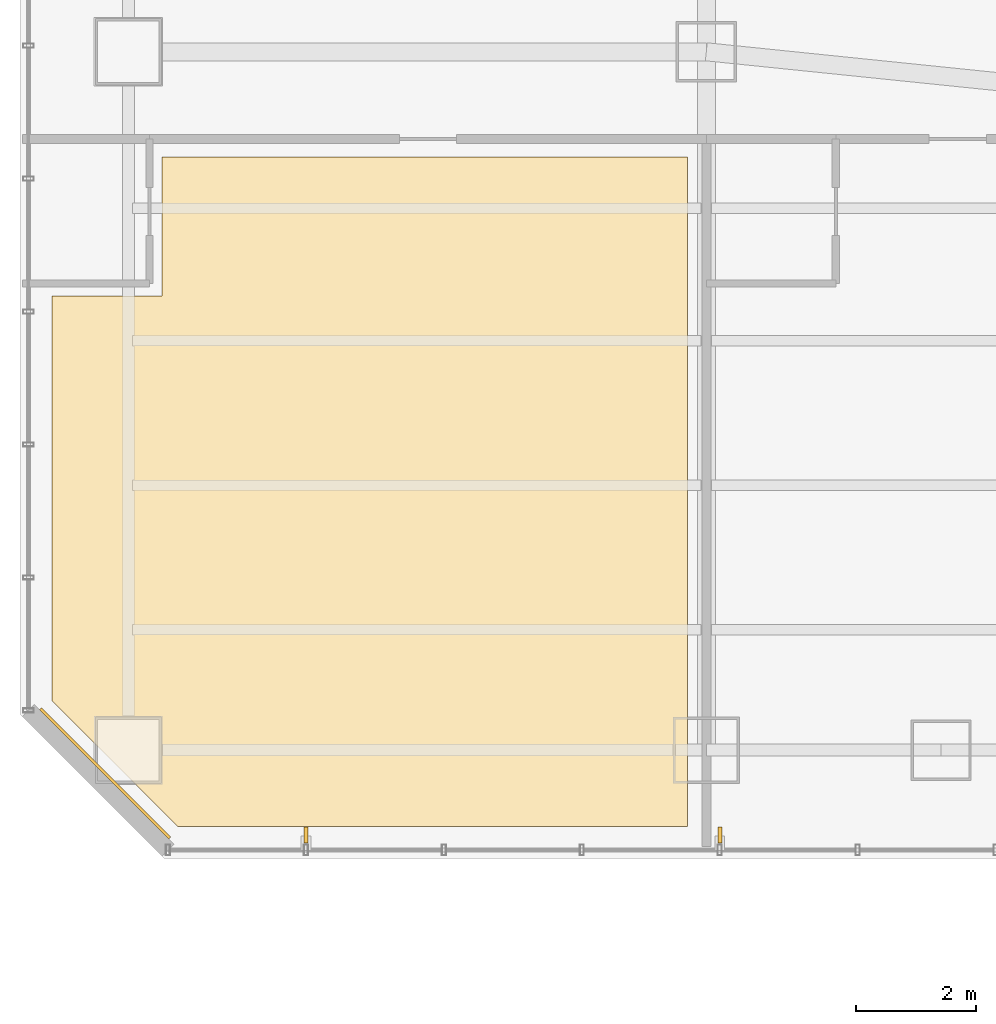
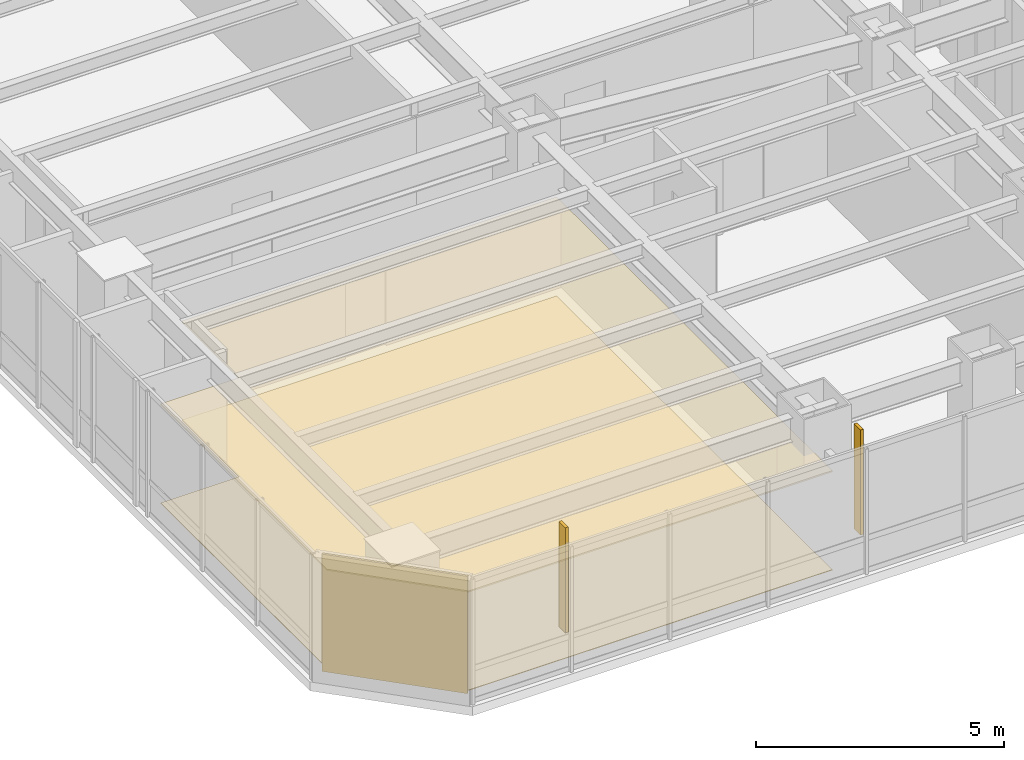
# One storey, part 34 of 39: 3 coverings, 2 shading devices.
"""IFC4 building model written with IfcOpenShell, lengths in metres."""

from ifc_helpers import new_model, si_unit, direction, frame, origin, origin_2d, place, context, subcontext, project, spatial, polyline, rectangle, outline, extrude, material, layer, layer_set, type_object, element, save


model = new_model("IFC4")

# Units and contexts
model_context = context("Model", 3, precision=1e-05, world=origin(), true_north=direction((0.0, 1.0)))
body_context = subcontext(model_context, "Body", "Model", "MODEL_VIEW")
ifc_project = project(units=[si_unit("LENGTHUNIT", "METRE"), si_unit("AREAUNIT", "SQUARE_METRE"), si_unit("VOLUMEUNIT", "CUBIC_METRE"), si_unit("PLANEANGLEUNIT", "RADIAN"), si_unit("MASSUNIT", "GRAM", prefix="KILO")], contexts=[model_context])

# Site, building, storey
site_placement = place(None, origin())
site = spatial("IfcSite", under=ifc_project, at=site_placement, CompositionType="ELEMENT")
building_placement = place(site_placement, origin())
building = spatial("IfcBuilding", under=site, at=building_placement, Name="Hatsunagi Terrace Concourse", CompositionType="ELEMENT")
storey_placement = place(building_placement, frame((0.0, 0.0, 66.75)))
storey = spatial("IfcBuildingStorey", under=building, at=storey_placement, Name="L17", CompositionType="ELEMENT", Elevation=66.75)

# Covering
ifc_material_1 = material(Name="Hardwood timber", Category="wood")
ifc_layer_1 = layer(ifc_material_1, 0.014892578125)
ifc_layer_set_1 = layer_set([ifc_layer_1], Name="HardwoodTimberFlooring_15")
covering_type_1 = type_object("IfcCoveringType", Name="HardwoodTimberFlooring_15", PredefinedType="FLOORING", material=ifc_layer_set_1)
covering_1_placement = place(storey_placement, origin())
element("IfcCovering", 1, at=covering_1_placement, inside=storey, type_object=covering_type_1, Name="Finished Flooring L17-2", PredefinedType="FLOORING", context=body_context, shape_type="SweptSolid", body=[
    extrude(outline(polyline([(2.6201171875, 23.929931640625), (11.090087890625, 23.929931640625), (11.090087890625, 35.050048828125), (2.35791015625, 35.050048828125), (2.35595703125, 32.7451171875), (0.530029296875, 32.741943359375), (0.530029296875, 26.02001953125), (2.6201171875, 23.929931640625)])), origin(), (0.0, 0.0, 1.0), 0.014892578125),
])

# Shading devices
ifc_material_2 = material(Name="Extruded Unglazed Terracotta Baguette", Category="masonry")
shading_device_type = type_object("IfcShadingDeviceType", Name="TerracottaFinScreen_260x70", PredefinedType="USERDEFINED", material=ifc_material_2)
for number, where, z_axis, x_axis, name in (
    (2, (11.625, 23.7900390625, 0.85009765625), (0.0, 0.0, 1.0), (-1.0, 0.0, 0.0), "Terracotta Baguette Fin Screen SCR-01"),
    (3, (4.75, 23.7900390625, 0.85009765625), (0.0, 0.0, 1.0), (-1.0, 0.0, 0.0), "Terracotta Baguette Fin Screen SCR-01"),
):
    element("IfcShadingDevice", number, at=place(storey_placement, frame(where, z_axis=z_axis, x_axis=x_axis)), inside=storey, type_object=shading_device_type, Name=name, ObjectType="SUNSHADE", PredefinedType="USERDEFINED", context=body_context, shape_type="SweptSolid", body=[
        extrude(rectangle(XDim=0.070068359375, YDim=0.260009765625, at=origin_2d()), origin(), (0.0, 0.0, 1.0), 2.590087890625),
    ])

# Coverings
ifc_material_3 = material(Name="Unglazed Warm Terracotta Rainscreen Tile", Category="masonry")
ifc_layer_2 = layer(ifc_material_3, 0.044921875)
ifc_layer_set_2 = layer_set([ifc_layer_2], Name="TerracottaRainscreenCladding_45")
covering_type_2 = type_object("IfcCoveringType", Name="TerracottaRainscreenCladding_45", PredefinedType="CLADDING", material=ifc_layer_set_2)
covering_2_placement = place(storey_placement, frame((1.4140625, 24.81396484375, 0.10009765625), z_axis=(0.0, 0.0, 1.0), x_axis=(-0.707106781187, 0.707106781187, 0.0)))
element("IfcCovering", 4, at=covering_2_placement, inside=storey, type_object=covering_type_2, Name="Terracotta Rainscreen Cladding L17-08", PredefinedType="CLADDING", context=body_context, shape_type="SweptSolid", body=[
    extrude(rectangle(XDim=3.0380859375, YDim=0.044921875, at=origin_2d()), origin(), (0.0, 0.0, 1.0), 2.889892578125),
])
ifc_material_4 = material(Name="Hardwood timber", Category="wood")
ifc_layer_3 = layer(ifc_material_4, 0.034912109375)
ifc_layer_set_3 = layer_set([ifc_layer_3], Name="TimberBaffleCeiling_35")
covering_type_3 = type_object("IfcCoveringType", Name="TimberBaffleCeiling_35", PredefinedType="CEILING", material=ifc_layer_set_3)
covering_3_placement = place(storey_placement, frame((0.0, 0.0, 2.419921875)))
element("IfcCovering", 5, at=covering_3_placement, inside=storey, type_object=covering_type_3, Name="Suspended Ceiling L17-2", PredefinedType="CEILING", context=body_context, shape_type="SweptSolid", body=[
    extrude(outline(polyline([(2.6201171875, 23.929931640625), (11.090087890625, 23.929931640625), (11.090087890625, 35.050048828125), (2.35791015625, 35.050048828125), (2.35595703125, 32.7451171875), (0.530029296875, 32.741943359375), (0.530029296875, 26.02001953125), (2.6201171875, 23.929931640625)])), origin(), (0.0, 0.0, 1.0), 0.03515625),
])

save(model, "model.ifc")
